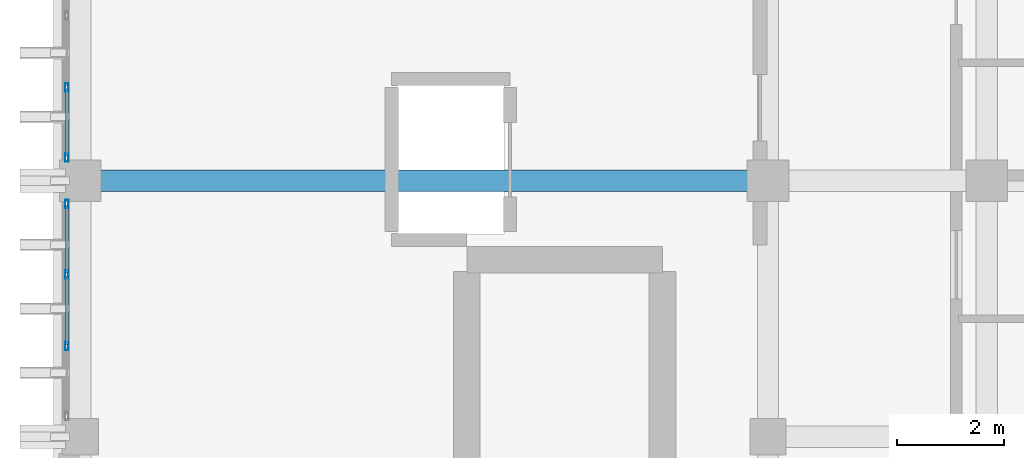
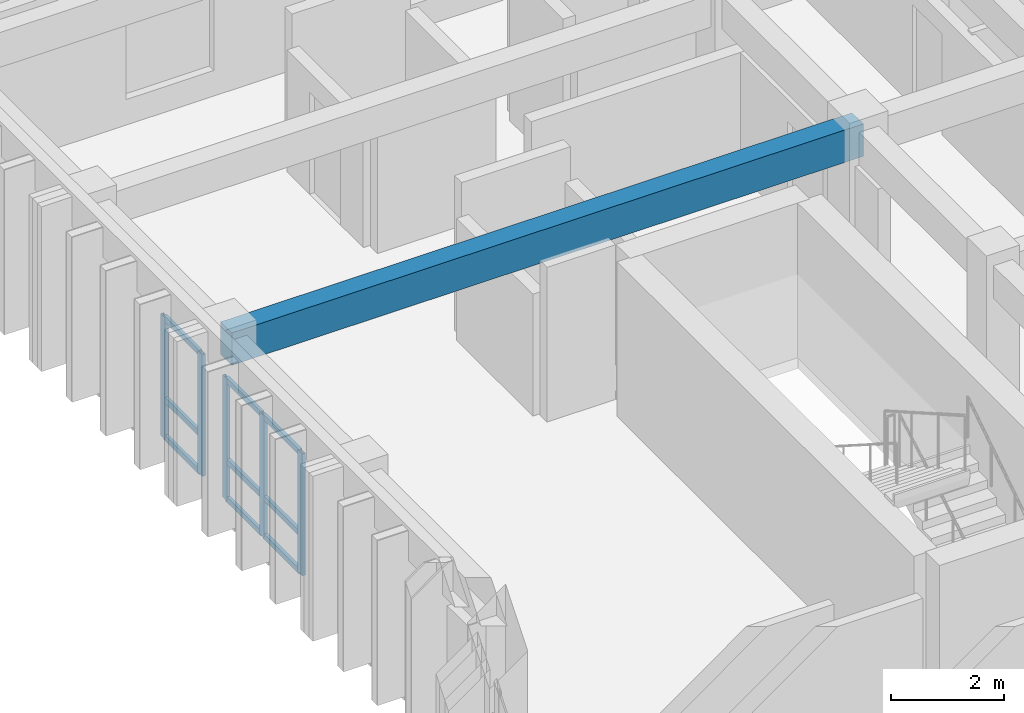
# One storey, part 44 of 68: 14 members, 1 beam, 2 elements without a shape of their own.
"""IFC4 building model written with IfcOpenShell, lengths in metres."""

import ifcopenshell
import ifcopenshell.guid

model = None  # the IFC model being written
_history = None  # IfcOwnerHistory: only IFC2X3 demands one
_inside = {}  # id of a spatial element -> (the spatial element, [elements in it])
_under = {}  # id of a project, library or spatial element -> (it, [spatial elements below it])
_declared = {}  # id of a project -> (the project, [libraries it declares])
_typed = {}  # id of a type object -> (the type object, [elements of that type])
_made_of = {}  # id of a material, layer set ... -> (it, [elements and type objects made of it])


def new_model(schema):
    """Start an empty IFC model of exactly this schema.

    Asked for "IFC4X3", IfcOpenShell would pick the latest addendum, in which some entities
    have other attributes; the version numbers below select the first issue.
    IFC2X3 requires an IfcOwnerHistory on every rooted entity: one is made here for all.
    """
    global model, _history
    if schema == "IFC4X3":
        model = ifcopenshell.file(schema_version=(4, 3, 0, 0))
    else:
        model = ifcopenshell.file(schema=schema)
    _inside.clear()
    _under.clear()
    _declared.clear()
    _typed.clear()
    _made_of.clear()
    _history = None
    if model.schema == "IFC2X3":
        org = make("IfcOrganization", Name="unknown")
        user = make(
            "IfcPersonAndOrganization",
            ThePerson=make("IfcPerson", FamilyName="unknown"),
            TheOrganization=org,
        )
        app = make(
            "IfcApplication",
            ApplicationDeveloper=org,
            Version="unknown",
            ApplicationFullName="unknown",
            ApplicationIdentifier="unknown",
        )
        _history = make(
            "IfcOwnerHistory",
            OwningUser=user,
            OwningApplication=app,
            ChangeAction="ADDED",
            CreationDate=0,
        )
    return model


def make(cls, **values):
    """One entity of the class cls with the attributes given. An attribute that is None is left unset."""
    return model.create_entity(
        cls, **{name: value for name, value in values.items() if value is not None}
    )


def rooted(cls, **values):
    """An entity with a GlobalId (a new one), such as an element, a storey or a relation."""
    return make(cls, GlobalId=ifcopenshell.guid.new(), OwnerHistory=_history, **values)


def si_unit(unit_type, name, prefix=None):
    """IfcSIUnit, for example si_unit("LENGTHUNIT", "METRE", prefix="MILLI")."""
    return make("IfcSIUnit", UnitType=unit_type, Prefix=prefix, Name=name)


def assignment(units):
    """IfcUnitAssignment: the units of a project."""
    return None if units is None else make("IfcUnitAssignment", Units=units)


def point(xyz):
    """IfcCartesianPoint."""
    return None if xyz is None else make("IfcCartesianPoint", Coordinates=xyz)


def direction(xyz):
    """IfcDirection."""
    return None if xyz is None else make("IfcDirection", DirectionRatios=xyz)


def frame(location, z_axis=None, x_axis=None):
    """IfcAxis2Placement3D, a coordinate frame: its origin and axes. An axis left out is left unset."""
    return make(
        "IfcAxis2Placement3D",
        Location=point(location),
        Axis=direction(z_axis),
        RefDirection=direction(x_axis),
    )


def frame_2d(location, x_axis=None):
    """IfcAxis2Placement2D, a coordinate frame in the plane: its origin and x axis."""
    return make(
        "IfcAxis2Placement2D", Location=point(location), RefDirection=direction(x_axis)
    )


def origin():
    """The frame at (0, 0, 0) with its axes left unset."""
    return frame((0.0, 0.0, 0.0))


def origin_2d():
    """The frame at (0, 0) in the plane with its x axis left unset."""
    return frame_2d((0.0, 0.0))


def place(relative_to, where):
    """IfcLocalPlacement: puts the frame where relative to a parent placement (None: the world)."""
    return make(
        "IfcLocalPlacement", PlacementRelTo=relative_to, RelativePlacement=where
    )


def context(
    kind, dimensions, precision=None, world=None, true_north=None, identifier=None
):
    """IfcGeometricRepresentationContext, for example the 3D "Model" context."""
    return make(
        "IfcGeometricRepresentationContext",
        ContextIdentifier=identifier,
        ContextType=kind,
        CoordinateSpaceDimension=dimensions,
        Precision=precision,
        WorldCoordinateSystem=world,
        TrueNorth=true_north,
    )


def subcontext(parent, identifier, kind, view, scale=None):
    """IfcGeometricRepresentationSubContext, for example "Body" below "Model"."""
    return make(
        "IfcGeometricRepresentationSubContext",
        ContextIdentifier=identifier,
        ContextType=kind,
        ParentContext=parent,
        TargetScale=scale,
        TargetView=view,
    )


def project(units=None, contexts=None):
    """IfcProject with its units and contexts."""
    return rooted(
        "IfcProject",
        Name="project",
        RepresentationContexts=contexts,
        UnitsInContext=assignment(units),
    )


def spatial(cls, under=None, at=None, **own):
    """A site, building, storey or space (cls), placed at a placement, below another one or the project."""
    s = rooted(cls, ObjectPlacement=at, **own)
    if under is not None:
        _under.setdefault(under.id(), (under, []))[1].append(s)
    return s


def profile(cls, at=None, kind="AREA", **sizes):
    """A parametric profile (cls). Its sizes go by their IFC names, for example OverallWidth=200.0."""
    return make(cls, ProfileType=kind, Position=at, **sizes)


def rectangle(**sizes):
    """IfcRectangleProfileDef."""
    return profile("IfcRectangleProfileDef", **sizes)


def hollow_rectangle(**sizes):
    """IfcRectangleHollowProfileDef."""
    return profile("IfcRectangleHollowProfileDef", **sizes)


def extrude(swept, where, along, depth):
    """IfcExtrudedAreaSolid: the profile swept, set in the frame where, extruded along a direction by depth."""
    return make(
        "IfcExtrudedAreaSolid",
        SweptArea=swept,
        Position=where,
        ExtrudedDirection=direction(along),
        Depth=depth,
    )


def shape(context_of_items, identifier, shape_type, items):
    """IfcShapeRepresentation: the items that make up one representation, for example the "Body"."""
    return make(
        "IfcShapeRepresentation",
        ContextOfItems=context_of_items,
        RepresentationIdentifier=identifier,
        RepresentationType=shape_type,
        Items=items,
    )


def material(Name=None, Category=None):
    """IfcMaterial."""
    return make("IfcMaterial", Name=Name, Category=Category)


def layer(
    of_material, thickness, ventilated=None, Name=None, Category=None, Priority=None
):
    """IfcMaterialLayer: one layer of a wall or slab, of a material (None: an air gap)."""
    return make(
        "IfcMaterialLayer",
        Material=of_material,
        LayerThickness=thickness,
        IsVentilated=ventilated,
        Name=Name,
        Category=Category,
        Priority=Priority,
    )


def layer_set(layers, Name=None):
    """IfcMaterialLayerSet."""
    return make("IfcMaterialLayerSet", MaterialLayers=layers, LayerSetName=Name)


def material_profile(
    of_material, cross_section, Name=None, Category=None, Priority=None
):
    """IfcMaterialProfile: a cross section and its material."""
    return make(
        "IfcMaterialProfile",
        Name=Name,
        Material=of_material,
        Profile=cross_section,
        Priority=Priority,
        Category=Category,
    )


def profile_set(profiles, Name=None, composite=None):
    """IfcMaterialProfileSet."""
    return make(
        "IfcMaterialProfileSet",
        Name=Name,
        MaterialProfiles=profiles,
        CompositeProfile=composite,
    )


def made_of(thing, what):
    """Note that an element or type object is made of a material, layer set ...; save() writes the relation."""
    if what is not None:
        _made_of.setdefault(what.id(), (what, []))[1].append(thing)
    return thing


def type_object(cls, material=None, **own):
    """A type object (cls), such as IfcWallType, which elements share."""
    return made_of(rooted(cls, **own), material)


def element(
    cls,
    number,
    at=None,
    inside=None,
    cuts=None,
    type_object=None,
    material=None,
    context=None,
    identifier="Body",
    shape_type=None,
    held_by="IfcProductDefinitionShape",
    body=None,
    shapes=None,
    **own,
):
    """One element of the class cls, such as IfcWall. Its Tag is "e" and its number.

    at: its placement. inside: the storey or other place that contains it. cuts: it is an
    opening in that element (IfcRelVoidsElement). A single representation is given by context,
    identifier, shape_type and body (its items); several are given by shapes. held_by: the class
    of the entity that holds the representations. save() writes the other relations.
    """
    e = rooted(cls, Tag="e%d" % number, ObjectPlacement=at, **own)
    if body is not None:
        shapes = [shape(context, identifier, shape_type, body)]
    if shapes is not None:
        e.Representation = make(held_by, Representations=shapes)
    if inside is not None:
        _inside.setdefault(inside.id(), (inside, []))[1].append(e)
    if cuts is not None:
        rooted(
            "IfcRelVoidsElement", RelatingBuildingElement=cuts, RelatedOpeningElement=e
        )
    if type_object is not None:
        _typed.setdefault(type_object.id(), (type_object, []))[1].append(e)
    return made_of(e, material)


def aggregate(whole, parts):
    """IfcRelAggregates: a whole, such as a stair, and the parts it consists of."""
    return rooted("IfcRelAggregates", RelatingObject=whole, RelatedObjects=parts)


def save(model, path):
    """Write the relations noted so far, then the file.

    IfcRelAggregates (storeys below a building ...), IfcRelContainedInSpatialStructure (elements
    in a storey), IfcRelDefinesByType, IfcRelAssociatesMaterial and IfcRelDeclares: one each for
    every whole, place, type object, material and project.
    """
    for whole, parts in _under.values():
        aggregate(whole, parts)
    for where, things in _inside.values():
        rooted(
            "IfcRelContainedInSpatialStructure",
            RelatedElements=things,
            RelatingStructure=where,
        )
    for kind, things in _typed.values():
        rooted("IfcRelDefinesByType", RelatedObjects=things, RelatingType=kind)
    for what, things in _made_of.values():
        rooted("IfcRelAssociatesMaterial", RelatedObjects=things, RelatingMaterial=what)
    for by, libraries in _declared.values():
        rooted("IfcRelDeclares", RelatingContext=by, RelatedDefinitions=libraries)
    model.write(path)


model = new_model("IFC4")

# Units and contexts
model_context = context("Model", 3, precision=1e-05, world=origin(), true_north=direction((0.0, 1.0)))
body_context = subcontext(model_context, "Body", "Model", "MODEL_VIEW")
ifc_project = project(units=[si_unit("LENGTHUNIT", "METRE"), si_unit("AREAUNIT", "SQUARE_METRE"), si_unit("VOLUMEUNIT", "CUBIC_METRE"), si_unit("PLANEANGLEUNIT", "RADIAN"), si_unit("MASSUNIT", "GRAM", prefix="KILO")], contexts=[model_context])

# Site, building, storey
site_placement = place(None, origin())
site = spatial("IfcSite", under=ifc_project, at=site_placement, CompositionType="ELEMENT")
building_placement = place(site_placement, origin())
building = spatial("IfcBuilding", under=site, at=building_placement, Name="Nakhvara Creek Congress Hotel", CompositionType="ELEMENT")
storey_placement = place(building_placement, frame((0.0, 0.0, 24.60009765625)))
storey = spatial("IfcBuildingStorey", under=building, at=storey_placement, Name="L05", CompositionType="ELEMENT", Elevation=24.60009765625)

# Beam
ifc_material_1 = material(Name="Concrete C40/50", Category="concrete")
ifc_material_profile_1 = material_profile(ifc_material_1, rectangle(XDim=0.39990234375, YDim=0.699951171875, at=origin_2d()), Name="RC-BM 400x700", Category="LoadBearing")
ifc_profile_set_1 = profile_set([ifc_material_profile_1], Name="Concrete C40/50")
beam_type = type_object("IfcBeamType", Name="BM-RC-400X700", PredefinedType="BEAM", material=ifc_profile_set_1)
beam_placement = place(storey_placement, frame((149.449951171875, 115.199951171875, 2.989990234375), z_axis=(1.0, 0.0, 0.0), x_axis=(0.0, 1.0, 0.0)))
element("IfcBeam", 1, at=beam_placement, inside=storey, type_object=beam_type, Name="Beam B05-L05-2082", PredefinedType="BEAM", context=body_context, shape_type="SweptSolid", body=[
    extrude(rectangle(XDim=0.39990234375, YDim=0.699951171875, at=origin_2d()), origin(), (0.0, 0.0, 1.0), 12.900146484375),
])

# Curtain wall, members
ifc_material_2 = material(Name="Bronze-anodised aluminium AW-6063-T6 and double-silver low-E glass", Category="aluminium")
ifc_layer = layer(ifc_material_2, 0.199951171875)
ifc_layer_set = layer_set([ifc_layer], Name="Bronze-anodised aluminium AW-6063-T6 and double-silver low-E glass")
curtain_wall_type = type_object("IfcCurtainWallType", Name="CW-HTL-UNIT", PredefinedType="USERDEFINED", material=ifc_layer_set)
curtain_wall_1_placement = place(storey_placement, origin())
curtain_wall_1 = element("IfcCurtainWall", 2, at=curtain_wall_1_placement, inside=storey, type_object=curtain_wall_type, Name="Curtain Wall CW225", ObjectType="UNITISED", PredefinedType="USERDEFINED")
ifc_material_3 = material(Name="Bronze-anodised aluminium AW-6063-T6", Category="aluminium")
ifc_material_profile_2 = material_profile(ifc_material_3, hollow_rectangle(XDim=0.06494140625, YDim=0.159912109375, WallThickness=0.00390625, at=origin_2d()), Name="ALU-MULL 65x160x4", Category="LoadBearing")
ifc_profile_set_2 = profile_set([ifc_material_profile_2], Name="Bronze-anodised aluminium AW-6063-T6")
member_type_1 = type_object("IfcMemberType", Name="CW-MULL-160", PredefinedType="MULLION", material=ifc_profile_set_2)
member_1_placement = place(storey_placement, frame((149.199951171875, 112.1015625, 0.0), z_axis=(0.0, 0.0, 1.0), x_axis=(-1.0, 0.0, 0.0)))
member_1 = element("IfcMember", 3, at=member_1_placement, type_object=member_type_1, Name="CW225 mullion 2", PredefinedType="MULLION", context=body_context, shape_type="SweptSolid", body=[
    extrude(hollow_rectangle(XDim=0.06494140625, YDim=0.159912109375, WallThickness=0.00390625, at=origin_2d()), origin(), (0.0, 0.0, 1.0), 2.6318359375),
])
member_2_placement = place(storey_placement, frame((149.199951171875, 113.4482421875, 0.0), z_axis=(0.0, 0.0, 1.0), x_axis=(-1.0, 0.0, 0.0)))
member_2 = element("IfcMember", 4, at=member_2_placement, type_object=member_type_1, Name="CW225 mullion 3", PredefinedType="MULLION", context=body_context, shape_type="SweptSolid", body=[
    extrude(hollow_rectangle(XDim=0.06494140625, YDim=0.159912109375, WallThickness=0.00390625, at=origin_2d()), origin(), (0.0, 0.0, 1.0), 2.6318359375),
])
member_3_placement = place(storey_placement, frame((149.199951171875, 114.762451171875, 0.0), z_axis=(0.0, 0.0, 1.0), x_axis=(-1.0, 0.0, 0.0)))
member_3 = element("IfcMember", 5, at=member_3_placement, type_object=member_type_1, Name="CW225 mullion 4", PredefinedType="MULLION", context=body_context, shape_type="SweptSolid", body=[
    extrude(hollow_rectangle(XDim=0.06494140625, YDim=0.159912109375, WallThickness=0.00390625, at=origin_2d()), origin(), (0.0, 0.0, 1.0), 2.6318359375),
])

curtain_wall_2_placement = place(storey_placement, origin())
curtain_wall_2 = element("IfcCurtainWall", 6, at=curtain_wall_2_placement, inside=storey, type_object=curtain_wall_type, Name="Curtain Wall CW227", ObjectType="UNITISED", PredefinedType="USERDEFINED")
member_4_placement = place(storey_placement, frame((149.199951171875, 115.637451171875, 0.0), z_axis=(0.0, 0.0, 1.0), x_axis=(-1.0, 0.0, 0.0)))
member_4 = element("IfcMember", 7, at=member_4_placement, type_object=member_type_1, Name="CW227 mullion 1", PredefinedType="MULLION", context=body_context, shape_type="SweptSolid", body=[
    extrude(hollow_rectangle(XDim=0.06494140625, YDim=0.159912109375, WallThickness=0.00390625, at=origin_2d()), origin(), (0.0, 0.0, 1.0), 2.6318359375),
])
member_5_placement = place(storey_placement, frame((149.199951171875, 116.95166015625, 0.0), z_axis=(0.0, 0.0, 1.0), x_axis=(-1.0, 0.0, 0.0)))
member_5 = element("IfcMember", 8, at=member_5_placement, type_object=member_type_1, Name="CW227 mullion 2", PredefinedType="MULLION", context=body_context, shape_type="SweptSolid", body=[
    extrude(hollow_rectangle(XDim=0.06494140625, YDim=0.159912109375, WallThickness=0.00390625, at=origin_2d()), origin(), (0.0, 0.0, 1.0), 2.6318359375),
])

# Member
ifc_material_profile_3 = material_profile(ifc_material_3, hollow_rectangle(XDim=0.06494140625, YDim=0.1201171875, WallThickness=0.00390625, at=origin_2d()), Name="ALU-TRAN 65x120x4", Category="LoadBearing")
ifc_profile_set_3 = profile_set([ifc_material_profile_3], Name="Bronze-anodised aluminium AW-6063-T6")
member_type_2 = type_object("IfcMemberType", Name="CW-TRAN-120", PredefinedType="USERDEFINED", material=ifc_profile_set_3)
member_6_placement = place(storey_placement, frame((149.199951171875, 112.13427734375, 0.032470703125), z_axis=(0.0, 1.0, 0.0), x_axis=(-1.0, 0.0, 0.0)))
member_6 = element("IfcMember", 9, at=member_6_placement, type_object=member_type_2, Name="CW225 transom 2.1", ObjectType="TRANSOM", PredefinedType="USERDEFINED", context=body_context, shape_type="SweptSolid", body=[
    extrude(hollow_rectangle(XDim=0.06494140625, YDim=0.1201171875, WallThickness=0.00390625, at=origin_2d()), origin(), (0.0, 0.0, 1.0), 1.281494140625),
])

member_7_placement = place(storey_placement, frame((149.199951171875, 112.13427734375, 0.849853515625), z_axis=(0.0, 1.0, 0.0), x_axis=(-1.0, 0.0, 0.0)))
member_7 = element("IfcMember", 10, at=member_7_placement, type_object=member_type_2, Name="CW225 transom 2.2", ObjectType="TRANSOM", PredefinedType="USERDEFINED", context=body_context, shape_type="SweptSolid", body=[
    extrude(hollow_rectangle(XDim=0.06494140625, YDim=0.1201171875, WallThickness=0.00390625, at=origin_2d()), origin(), (0.0, 0.0, 1.0), 1.281494140625),
])

member_8_placement = place(storey_placement, frame((149.199951171875, 112.13427734375, 2.599365234375), z_axis=(0.0, 1.0, 0.0), x_axis=(-1.0, 0.0, 0.0)))
member_8 = element("IfcMember", 11, at=member_8_placement, type_object=member_type_2, Name="CW225 transom 2.3", ObjectType="TRANSOM", PredefinedType="USERDEFINED", context=body_context, shape_type="SweptSolid", body=[
    extrude(hollow_rectangle(XDim=0.06494140625, YDim=0.1201171875, WallThickness=0.00390625, at=origin_2d()), origin(), (0.0, 0.0, 1.0), 1.281494140625),
])

member_9_placement = place(storey_placement, frame((149.199951171875, 113.480712890625, 0.032470703125), z_axis=(0.0, 1.0, 0.0), x_axis=(-1.0, 0.0, 0.0)))
member_9 = element("IfcMember", 12, at=member_9_placement, type_object=member_type_2, Name="CW225 transom 3.1", ObjectType="TRANSOM", PredefinedType="USERDEFINED", context=body_context, shape_type="SweptSolid", body=[
    extrude(hollow_rectangle(XDim=0.06494140625, YDim=0.1201171875, WallThickness=0.00390625, at=origin_2d()), origin(), (0.0, 0.0, 1.0), 1.249267578125),
])

member_10_placement = place(storey_placement, frame((149.199951171875, 113.480712890625, 0.849853515625), z_axis=(0.0, 1.0, 0.0), x_axis=(-1.0, 0.0, 0.0)))
member_10 = element("IfcMember", 13, at=member_10_placement, type_object=member_type_2, Name="CW225 transom 3.2", ObjectType="TRANSOM", PredefinedType="USERDEFINED", context=body_context, shape_type="SweptSolid", body=[
    extrude(hollow_rectangle(XDim=0.06494140625, YDim=0.1201171875, WallThickness=0.00390625, at=origin_2d()), origin(), (0.0, 0.0, 1.0), 1.249267578125),
])

member_11_placement = place(storey_placement, frame((149.199951171875, 113.480712890625, 2.599365234375), z_axis=(0.0, 1.0, 0.0), x_axis=(-1.0, 0.0, 0.0)))
member_11 = element("IfcMember", 14, at=member_11_placement, type_object=member_type_2, Name="CW225 transom 3.3", ObjectType="TRANSOM", PredefinedType="USERDEFINED", context=body_context, shape_type="SweptSolid", body=[
    extrude(hollow_rectangle(XDim=0.06494140625, YDim=0.1201171875, WallThickness=0.00390625, at=origin_2d()), origin(), (0.0, 0.0, 1.0), 1.249267578125),
])

aggregate(curtain_wall_1, [member_1, member_2, member_3, member_6, member_7, member_8, member_9, member_10, member_11])

member_12_placement = place(storey_placement, frame((149.199951171875, 115.669921875, 0.032470703125), z_axis=(0.0, 1.0, 0.0), x_axis=(-1.0, 0.0, 0.0)))
member_12 = element("IfcMember", 15, at=member_12_placement, type_object=member_type_2, Name="CW227 transom 1.1", ObjectType="TRANSOM", PredefinedType="USERDEFINED", context=body_context, shape_type="SweptSolid", body=[
    extrude(hollow_rectangle(XDim=0.06494140625, YDim=0.1201171875, WallThickness=0.00390625, at=origin_2d()), origin(), (0.0, 0.0, 1.0), 1.249267578125),
])

member_13_placement = place(storey_placement, frame((149.199951171875, 115.669921875, 0.849853515625), z_axis=(0.0, 1.0, 0.0), x_axis=(-1.0, 0.0, 0.0)))
member_13 = element("IfcMember", 16, at=member_13_placement, type_object=member_type_2, Name="CW227 transom 1.2", ObjectType="TRANSOM", PredefinedType="USERDEFINED", context=body_context, shape_type="SweptSolid", body=[
    extrude(hollow_rectangle(XDim=0.06494140625, YDim=0.1201171875, WallThickness=0.00390625, at=origin_2d()), origin(), (0.0, 0.0, 1.0), 1.249267578125),
])

member_14_placement = place(storey_placement, frame((149.199951171875, 115.669921875, 2.599365234375), z_axis=(0.0, 1.0, 0.0), x_axis=(-1.0, 0.0, 0.0)))
member_14 = element("IfcMember", 17, at=member_14_placement, type_object=member_type_2, Name="CW227 transom 1.3", ObjectType="TRANSOM", PredefinedType="USERDEFINED", context=body_context, shape_type="SweptSolid", body=[
    extrude(hollow_rectangle(XDim=0.06494140625, YDim=0.1201171875, WallThickness=0.00390625, at=origin_2d()), origin(), (0.0, 0.0, 1.0), 1.249267578125),
])

aggregate(curtain_wall_2, [member_4, member_5, member_12, member_13, member_14])

save(model, "model.ifc")
